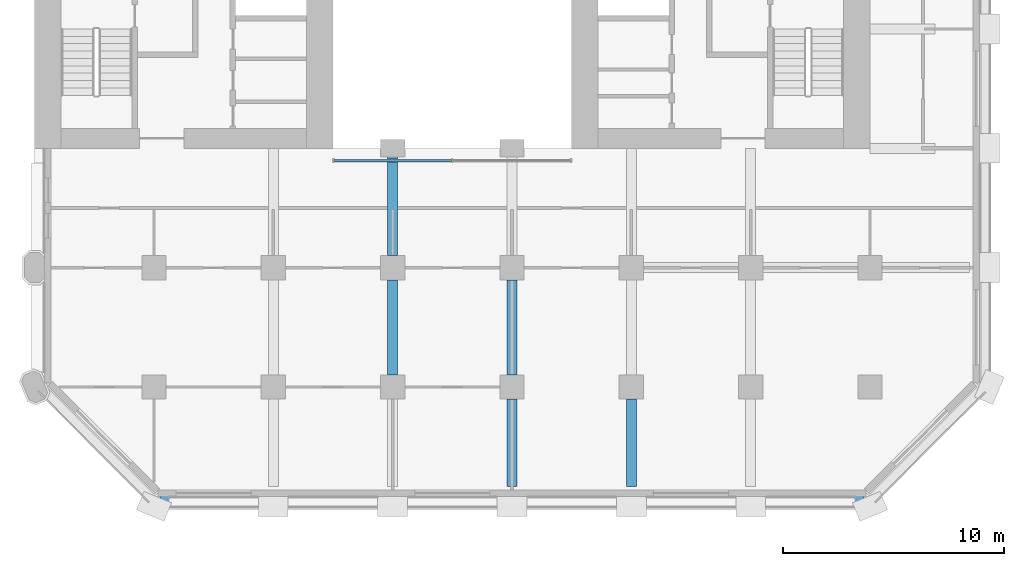
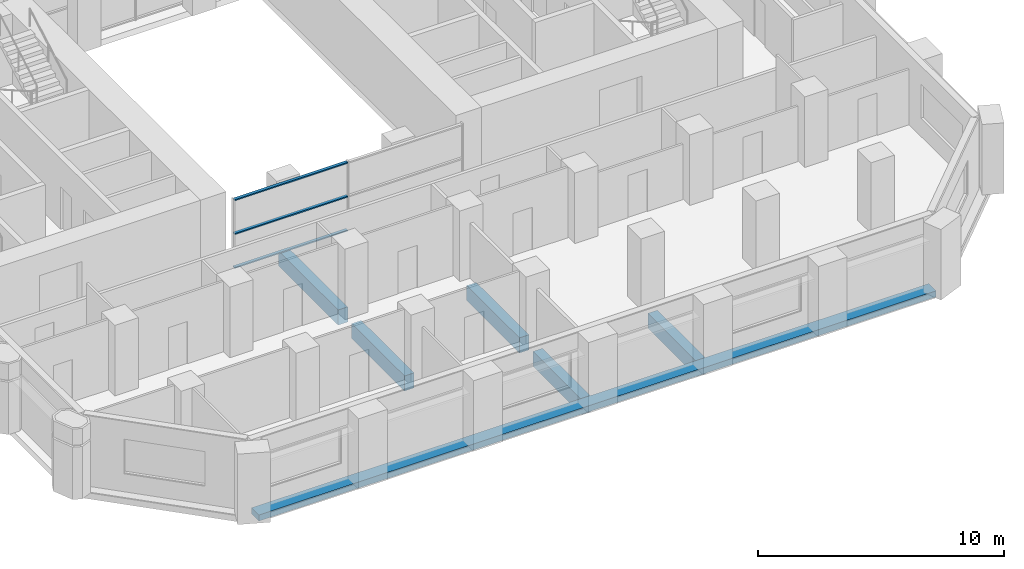
# One storey, part 3 of 13: 6 beams, 3 members, 1 element without a shape of its own.
"""IFC4 building model written with IfcOpenShell, lengths in metres."""

from ifc_helpers import new_model, si_unit, direction, frame, origin, origin_2d, place, context, subcontext, project, spatial, rectangle, extrude, material, material_profile, profile_set, type_object, element, aggregate, save


model = new_model("IFC4")

# Units and contexts
model_context = context("Model", 3, precision=1e-05, world=origin(), true_north=direction((0.0, 1.0)))
body_context = subcontext(model_context, "Body", "Model", "MODEL_VIEW")
ifc_project = project(units=[si_unit("LENGTHUNIT", "METRE"), si_unit("AREAUNIT", "SQUARE_METRE"), si_unit("VOLUMEUNIT", "CUBIC_METRE"), si_unit("PLANEANGLEUNIT", "RADIAN"), si_unit("MASSUNIT", "GRAM", prefix="KILO")], contexts=[model_context])

# Site, building, storey
site_placement = place(None, origin())
site = spatial("IfcSite", under=ifc_project, at=site_placement, CompositionType="ELEMENT")
building_placement = place(site_placement, origin())
building = spatial("IfcBuilding", under=site, at=building_placement, Name="Tabaq Tower and Sports Hall", CompositionType="ELEMENT")
storey_placement = place(building_placement, frame((0.0, 0.0, 48.800048828125)))
storey = spatial("IfcBuildingStorey", under=building, at=storey_placement, Name="L10", CompositionType="ELEMENT", Elevation=48.800048828125)

# Curtain wall, members
ifc_material_1 = material(Name="Aluminium alloy 6063-T6 framed glazing", Category="aluminium")
curtain_wall_type = type_object("IfcCurtainWallType", Name="CW1 curtain wall", PredefinedType="USERDEFINED", material=ifc_material_1)
curtain_wall_placement = place(storey_placement, origin())
curtain_wall = element("IfcCurtainWall", 1, at=curtain_wall_placement, inside=storey, type_object=curtain_wall_type, Name="Atrium glazing L10 S", ObjectType="ATRIUM ENCLOSURE", PredefinedType="USERDEFINED")
ifc_material_2 = material(Name="Aluminium alloy 6063-T6", Category="aluminium")
ifc_material_profile_1 = material_profile(ifc_material_2, rectangle(XDim=0.139892578125, YDim=0.06005859375, at=origin_2d()), Name="TRANSOM 140x60")
ifc_profile_set_1 = profile_set([ifc_material_profile_1], Name="Aluminium alloy 6063-T6")
member_type = type_object("IfcMemberType", Name="CW1 transom 140x60", PredefinedType="USERDEFINED", material=ifc_profile_set_1)
member_1_placement = place(storey_placement, frame((18.9599609375, 15.64990234375, 0.070068359375), z_axis=(1.0, 0.0, 0.0), x_axis=(0.0, 1.0, 0.0)))
member_1 = element("IfcMember", 2, at=member_1_placement, type_object=member_type, Name="CW1 transom 1.1", ObjectType="TRANSOM", PredefinedType="USERDEFINED", context=body_context, shape_type="SweptSolid", body=[
    extrude(rectangle(XDim=0.139892578125, YDim=0.06005859375, at=origin_2d()), origin(), (0.0, 0.0, 1.0), 5.31005859375),
])
member_2_placement = place(storey_placement, frame((18.9599609375, 15.64990234375, 1.75), z_axis=(1.0, 0.0, 0.0), x_axis=(0.0, 1.0, 0.0)))
member_2 = element("IfcMember", 3, at=member_2_placement, type_object=member_type, Name="CW1 transom 1.2", ObjectType="TRANSOM", PredefinedType="USERDEFINED", context=body_context, shape_type="SweptSolid", body=[
    extrude(rectangle(XDim=0.139892578125, YDim=0.06005859375, at=origin_2d()), origin(), (0.0, 0.0, 1.0), 5.31005859375),
])
member_3_placement = place(storey_placement, frame((18.9599609375, 15.64990234375, 3.429931640625), z_axis=(1.0, 0.0, 0.0), x_axis=(0.0, 1.0, 0.0)))
member_3 = element("IfcMember", 4, at=member_3_placement, type_object=member_type, Name="CW1 transom 1.3", ObjectType="TRANSOM", PredefinedType="USERDEFINED", context=body_context, shape_type="SweptSolid", body=[
    extrude(rectangle(XDim=0.139892578125, YDim=0.06005859375, at=origin_2d()), origin(), (0.0, 0.0, 1.0), 5.31005859375),
])
aggregate(curtain_wall, [member_1, member_2, member_3])

# Beams
ifc_material_3 = material(Name="Concrete C40/50", Category="concrete")
ifc_material_profile_2 = material_profile(ifc_material_3, rectangle(XDim=0.449951171875, YDim=0.75, at=origin_2d()), Name="CB 450x750")
ifc_profile_set_2 = profile_set([ifc_material_profile_2], Name="Concrete C40/50")
beam_type_1 = type_object("IfcBeamType", Name="PT CANTILEVER BEAM CB 450x750 C40/50", PredefinedType="BEAM", material=ifc_profile_set_2)
beam_1_placement = place(storey_placement, frame((21.60009765625, 5.949951171875, -0.675048828125), z_axis=(0.0, 1.0, 0.0), x_axis=(-1.0, 0.0, 0.0)))
element("IfcBeam", 5, at=beam_1_placement, inside=storey, type_object=beam_type_1, Name="Cantilever Beam L10 S4 span 2", PredefinedType="BEAM", context=body_context, shape_type="SweptSolid", body=[
    extrude(rectangle(XDim=0.449951171875, YDim=0.75, at=origin_2d()), origin(), (0.0, 0.0, 1.0), 4.300048828125),
])
beam_2_placement = place(storey_placement, frame((21.60009765625, 11.35009765625, -0.675048828125), z_axis=(0.0, 1.0, 0.0), x_axis=(-1.0, 0.0, 0.0)))
element("IfcBeam", 6, at=beam_2_placement, inside=storey, type_object=beam_type_1, Name="Cantilever Beam L10 S4 span 3", PredefinedType="BEAM", context=body_context, shape_type="SweptSolid", body=[
    extrude(rectangle(XDim=0.449951171875, YDim=0.75, at=origin_2d()), origin(), (0.0, 0.0, 1.0), 4.849853515625),
])
beam_3_placement = place(storey_placement, frame((27.0, 0.89990234375, -0.675048828125), z_axis=(0.0, 1.0, 0.0), x_axis=(-1.0, 0.0, 0.0)))
element("IfcBeam", 7, at=beam_3_placement, inside=storey, type_object=beam_type_1, Name="Cantilever Beam L10 S5 span 1", PredefinedType="BEAM", context=body_context, shape_type="SweptSolid", body=[
    extrude(rectangle(XDim=0.449951171875, YDim=0.75, at=origin_2d()), origin(), (0.0, 0.0, 1.0), 3.9501953125),
])
beam_4_placement = place(storey_placement, frame((27.0, 5.949951171875, -0.675048828125), z_axis=(0.0, 1.0, 0.0), x_axis=(-1.0, 0.0, 0.0)))
element("IfcBeam", 8, at=beam_4_placement, inside=storey, type_object=beam_type_1, Name="Cantilever Beam L10 S5 span 2", PredefinedType="BEAM", context=body_context, shape_type="SweptSolid", body=[
    extrude(rectangle(XDim=0.449951171875, YDim=0.75, at=origin_2d()), origin(), (0.0, 0.0, 1.0), 4.300048828125),
])
beam_5_placement = place(storey_placement, frame((32.39990234375, 0.89990234375, -0.675048828125), z_axis=(0.0, 1.0, 0.0), x_axis=(-1.0, 0.0, 0.0)))
element("IfcBeam", 9, at=beam_5_placement, inside=storey, type_object=beam_type_1, Name="Cantilever Beam L10 S6 span 1", PredefinedType="BEAM", context=body_context, shape_type="SweptSolid", body=[
    extrude(rectangle(XDim=0.449951171875, YDim=0.75, at=origin_2d()), origin(), (0.0, 0.0, 1.0), 3.9501953125),
])
ifc_material_4 = material(Name="Concrete C40/50", Category="concrete")
ifc_material_profile_3 = material_profile(ifc_material_4, rectangle(XDim=0.60009765625, YDim=0.300048828125, at=origin_2d()), Name="EB 600x300")
ifc_profile_set_3 = profile_set([ifc_material_profile_3], Name="Concrete C40/50")
beam_type_2 = type_object("IfcBeamType", Name="PT EDGE BEAM EB 600x300 C40/50", PredefinedType="SPANDREL", material=ifc_profile_set_3)
beam_6_placement = place(storey_placement, frame((11.0986328125, 0.300048828125, -0.150146484375), z_axis=(1.0, 0.0, 0.0), x_axis=(0.0, 1.0, 0.0)))
element("IfcBeam", 10, at=beam_6_placement, inside=storey, type_object=beam_type_2, Name="Edge Beam L10 1", PredefinedType="SPANDREL", context=body_context, shape_type="SweptSolid", body=[
    extrude(rectangle(XDim=0.60009765625, YDim=0.300048828125, at=origin_2d()), origin(), (0.0, 0.0, 1.0), 31.802734375),
])

save(model, "model.ifc")
